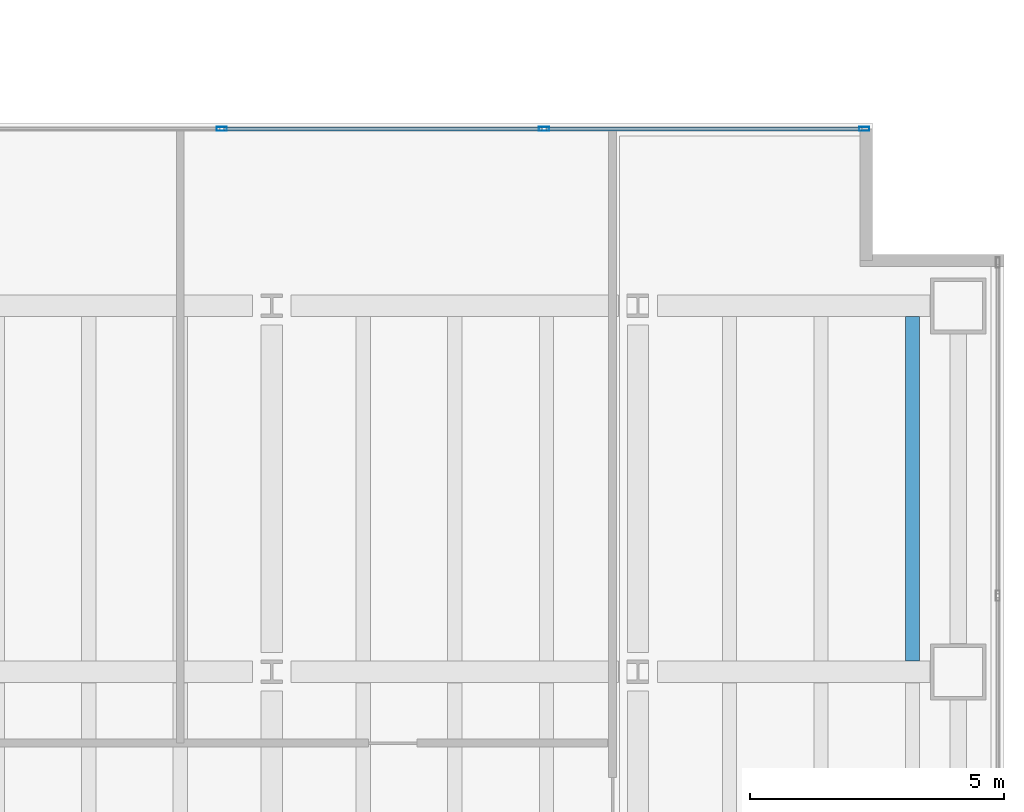
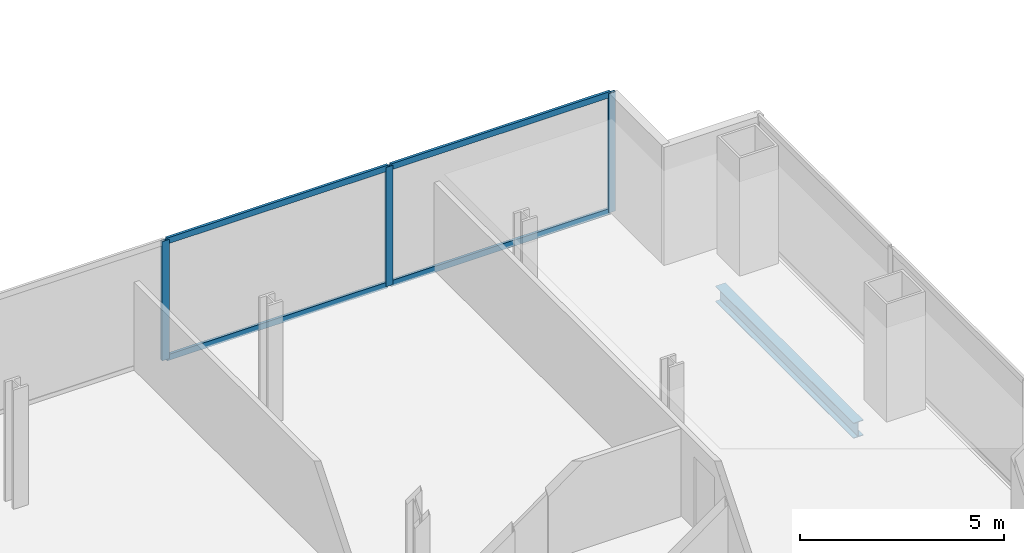
# One storey, part 12 of 24: 7 members, 1 beam, 1 element without a shape of its own.
"""IFC4 building model written with IfcOpenShell, lengths in metres."""

from ifc_helpers import new_model, si_unit, direction, frame, origin, origin_2d, place, context, subcontext, project, spatial, hollow_rectangle, i_section, extrude, material, material_profile, profile_set, type_object, element, aggregate, save


model = new_model("IFC4")

# Units and contexts
model_context = context("Model", 3, precision=1e-05, world=origin(), true_north=direction((0.0, 1.0)))
body_context = subcontext(model_context, "Body", "Model", "MODEL_VIEW")
ifc_project = project(units=[si_unit("LENGTHUNIT", "METRE"), si_unit("AREAUNIT", "SQUARE_METRE"), si_unit("VOLUMEUNIT", "CUBIC_METRE"), si_unit("PLANEANGLEUNIT", "RADIAN"), si_unit("MASSUNIT", "GRAM", prefix="KILO")], contexts=[model_context])

# Site, building, storey
site_placement = place(None, origin())
site = spatial("IfcSite", under=ifc_project, at=site_placement, CompositionType="ELEMENT")
building_placement = place(site_placement, origin())
building = spatial("IfcBuilding", under=site, at=building_placement, Name="Cobrela Telecom Tower", CompositionType="ELEMENT")
storey_placement = place(building_placement, frame((0.0, 0.0, 31.14990234375)))
storey = spatial("IfcBuildingStorey", under=building, at=storey_placement, Name="L07", CompositionType="ELEMENT", Elevation=31.14990234375)

# Beam
ifc_material_1 = material(Name="Steel ASTM A992 Grade 50", Category="steel")
ifc_material_profile_1 = material_profile(ifc_material_1, i_section(OverallWidth=0.281982421875, OverallDepth=0.467041015625, WebThickness=0.01220703125, FlangeThickness=0.01953125, FilletRadius=0.012939453125, at=origin_2d()), Name="W18X86")
ifc_profile_set_1 = profile_set([ifc_material_profile_1], Name="Steel ASTM A992 Grade 50")
beam_type = type_object("IfcBeamType", Name="BM-JOIST-02", PredefinedType="JOIST", material=ifc_profile_set_1)
beam_placement = place(storey_placement, frame((48.60009765625, 14.614501953125, -0.513427734375), z_axis=(0.0, 1.0, 0.0), x_axis=(-1.0, 0.0, 0.0)))
element("IfcBeam", 1, at=beam_placement, inside=storey, type_object=beam_type, Name="L07 Secondary Composite Floor Beam J64", PredefinedType="JOIST", context=body_context, shape_type="SweptSolid", body=[
    extrude(i_section(OverallWidth=0.281982421875, OverallDepth=0.467041015625, WebThickness=0.01220703125, FlangeThickness=0.01953125, FilletRadius=0.012939453125, at=origin_2d()), origin(), (0.0, 0.0, 1.0), 6.77099609375),
])

# Curtain wall, members
ifc_material_2 = material(Name="Anodized Bronze Aluminium 6063-T6", Category="aluminium")
curtain_wall_type = type_object("IfcCurtainWallType", Name="CW-SYS-DATA", PredefinedType="USERDEFINED", material=ifc_material_2)
curtain_wall_placement = place(storey_placement, origin())
curtain_wall = element("IfcCurtainWall", 2, at=curtain_wall_placement, inside=storey, type_object=curtain_wall_type, Name="L07 Unitised Bronze Curtain Wall 11", ObjectType="UNITISED CURTAIN WALL", PredefinedType="USERDEFINED")
ifc_material_profile_2 = material_profile(ifc_material_2, hollow_rectangle(XDim=0.080078125, YDim=0.199951171875, WallThickness=0.00390625, at=origin_2d()), Name="ALU 80x200x4")
ifc_profile_set_2 = profile_set([ifc_material_profile_2], Name="Anodized Bronze Aluminium 6063-T6")
member_type_1 = type_object("IfcMemberType", Name="CW-SYS-DATA-MUL", PredefinedType="MULLION", material=ifc_profile_set_2)
member_1_placement = place(storey_placement, frame((35.0166015625, 25.080078125, 0.0), z_axis=(0.0, 0.0, 1.0), x_axis=(0.0, 1.0, 0.0)))
member_1 = element("IfcMember", 3, at=member_1_placement, type_object=member_type_1, Name="CW-DATA mullion 2", PredefinedType="MULLION", context=body_context, shape_type="SweptSolid", body=[
    extrude(hollow_rectangle(XDim=0.080078125, YDim=0.199951171875, WallThickness=0.00390625, at=origin_2d()), origin(), (0.0, 0.0, 1.0), 3.570068359375),
])
member_2_placement = place(storey_placement, frame((41.353271484375, 25.080078125, 0.0), z_axis=(0.0, 0.0, 1.0), x_axis=(0.0, 1.0, 0.0)))
member_2 = element("IfcMember", 4, at=member_2_placement, type_object=member_type_1, Name="CW-DATA mullion 3", PredefinedType="MULLION", context=body_context, shape_type="SweptSolid", body=[
    extrude(hollow_rectangle(XDim=0.080078125, YDim=0.199951171875, WallThickness=0.00390625, at=origin_2d()), origin(), (0.0, 0.0, 1.0), 3.570068359375),
])
member_3_placement = place(storey_placement, frame((47.64990234375, 25.080078125, 0.0), z_axis=(0.0, 0.0, 1.0), x_axis=(0.0, 1.0, 0.0)))
member_3 = element("IfcMember", 5, at=member_3_placement, type_object=member_type_1, Name="CW-DATA mullion 4", PredefinedType="MULLION", context=body_context, shape_type="SweptSolid", body=[
    extrude(hollow_rectangle(XDim=0.080078125, YDim=0.199951171875, WallThickness=0.00390625, at=origin_2d()), origin(), (0.0, 0.0, 1.0), 3.570068359375),
])
ifc_material_profile_3 = material_profile(ifc_material_2, hollow_rectangle(XDim=0.074951171875, YDim=0.179931640625, WallThickness=0.00390625, at=origin_2d()), Name="ALU 75x180x4")
ifc_profile_set_3 = profile_set([ifc_material_profile_3], Name="Anodized Bronze Aluminium 6063-T6")
member_type_2 = type_object("IfcMemberType", Name="CW-SYS-DATA-TRN", PredefinedType="USERDEFINED", material=ifc_profile_set_3)
member_4_placement = place(storey_placement, frame((35.056640625, 25.080078125, 0.03759765625), z_axis=(1.0, 0.0, 0.0), x_axis=(0.0, 1.0, 0.0)))
member_4 = element("IfcMember", 6, at=member_4_placement, type_object=member_type_2, Name="CW-DATA transom 2.1", ObjectType="TRANSOM", PredefinedType="USERDEFINED", context=body_context, shape_type="SweptSolid", body=[
    extrude(hollow_rectangle(XDim=0.074951171875, YDim=0.179931640625, WallThickness=0.00390625, at=origin_2d()), origin(), (0.0, 0.0, 1.0), 6.256591796875),
])
member_5_placement = place(storey_placement, frame((35.056640625, 25.080078125, 3.53271484375), z_axis=(1.0, 0.0, 0.0), x_axis=(0.0, 1.0, 0.0)))
member_5 = element("IfcMember", 7, at=member_5_placement, type_object=member_type_2, Name="CW-DATA transom 2.2", ObjectType="TRANSOM", PredefinedType="USERDEFINED", context=body_context, shape_type="SweptSolid", body=[
    extrude(hollow_rectangle(XDim=0.074951171875, YDim=0.179931640625, WallThickness=0.00390625, at=origin_2d()), origin(), (0.0, 0.0, 1.0), 6.256591796875),
])
member_6_placement = place(storey_placement, frame((41.393310546875, 25.080078125, 0.03759765625), z_axis=(1.0, 0.0, 0.0), x_axis=(0.0, 1.0, 0.0)))
member_6 = element("IfcMember", 8, at=member_6_placement, type_object=member_type_2, Name="CW-DATA transom 3.1", ObjectType="TRANSOM", PredefinedType="USERDEFINED", context=body_context, shape_type="SweptSolid", body=[
    extrude(hollow_rectangle(XDim=0.074951171875, YDim=0.179931640625, WallThickness=0.00390625, at=origin_2d()), origin(), (0.0, 0.0, 1.0), 6.216796875),
])
member_7_placement = place(storey_placement, frame((41.393310546875, 25.080078125, 3.53271484375), z_axis=(1.0, 0.0, 0.0), x_axis=(0.0, 1.0, 0.0)))
member_7 = element("IfcMember", 9, at=member_7_placement, type_object=member_type_2, Name="CW-DATA transom 3.2", ObjectType="TRANSOM", PredefinedType="USERDEFINED", context=body_context, shape_type="SweptSolid", body=[
    extrude(hollow_rectangle(XDim=0.074951171875, YDim=0.179931640625, WallThickness=0.00390625, at=origin_2d()), origin(), (0.0, 0.0, 1.0), 6.216796875),
])
aggregate(curtain_wall, [member_1, member_2, member_3, member_4, member_5, member_6, member_7])

save(model, "model.ifc")
